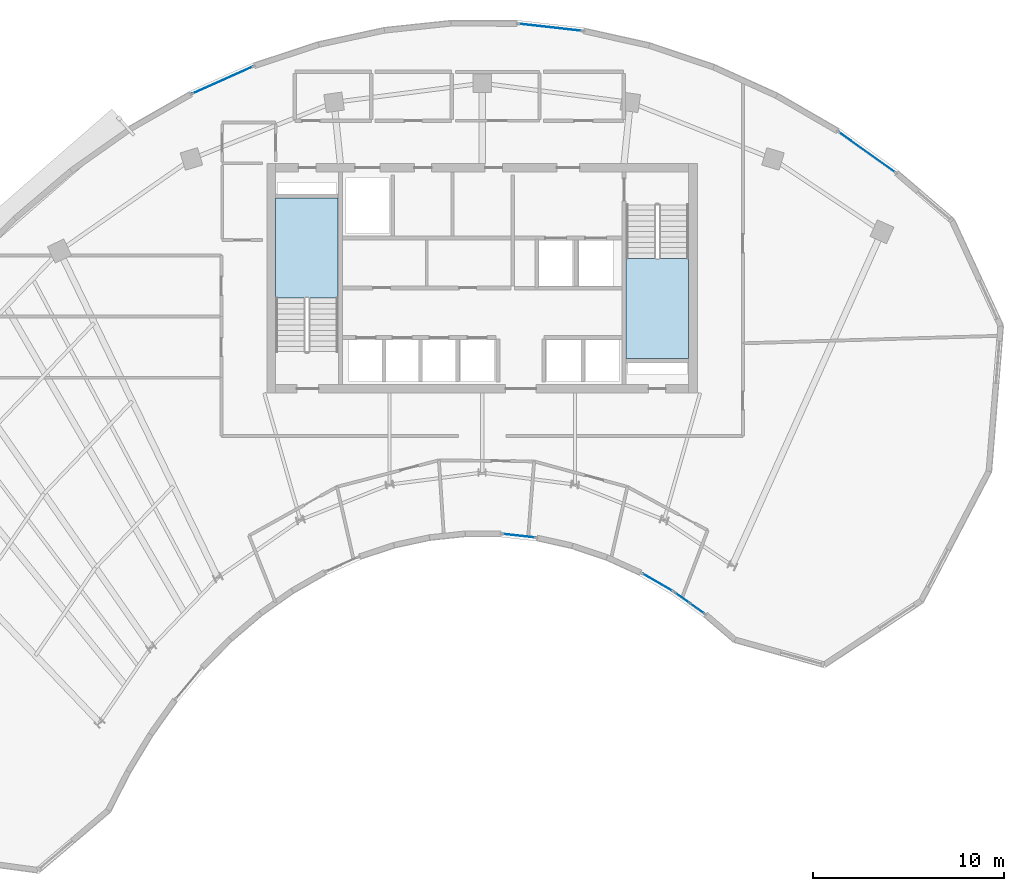
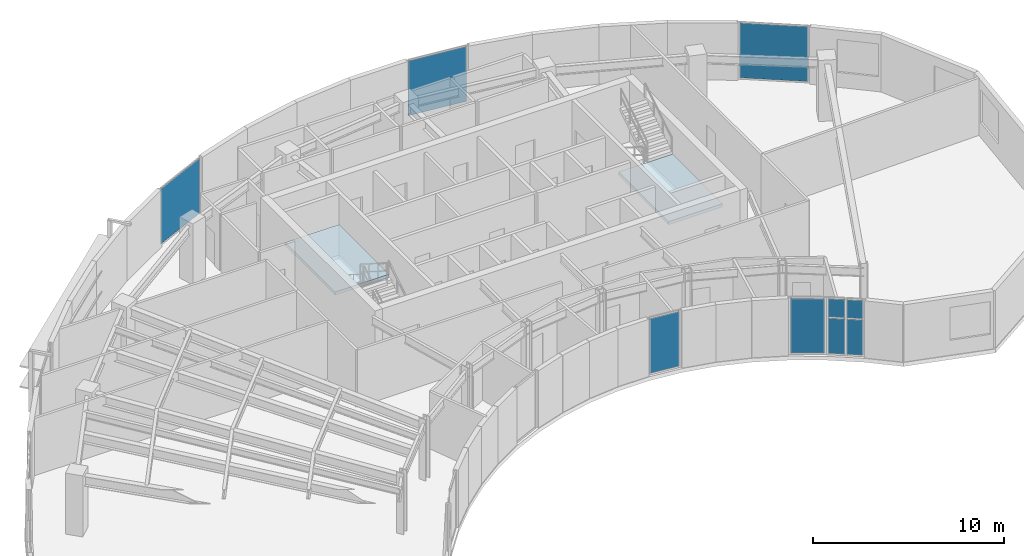
# One storey, part 6 of 12: 9 plates, 2 slabs, 8 elements without a shape of their own.
"""IFC4 building model written with IfcOpenShell, lengths in metres."""

from ifc_helpers import new_model, si_unit, direction, frame, origin, origin_2d, place, context, subcontext, project, spatial, polyline, rectangle, outline, extrude, source, transform, mapped, material, layer, layer_set, type_object, element, aggregate, save


model = new_model("IFC4")

# Units and contexts
model_context = context("Model", 3, precision=1e-05, world=origin(), true_north=direction((0.0, 1.0)))
body_context = subcontext(model_context, "Body", "Model", "MODEL_VIEW")
ifc_project = project(units=[si_unit("LENGTHUNIT", "METRE"), si_unit("AREAUNIT", "SQUARE_METRE"), si_unit("VOLUMEUNIT", "CUBIC_METRE"), si_unit("PLANEANGLEUNIT", "RADIAN"), si_unit("MASSUNIT", "GRAM", prefix="KILO")], contexts=[model_context])

# Site, building, storey
site_placement = place(None, origin())
site = spatial("IfcSite", under=ifc_project, at=site_placement, CompositionType="ELEMENT")
building_placement = place(site_placement, origin())
building = spatial("IfcBuilding", under=site, at=building_placement, Name="Breltana Convention Tower", CompositionType="ELEMENT")
storey_placement = place(building_placement, frame((0.0, 0.0, 235.199951171875)))
storey = spatial("IfcBuildingStorey", under=building, at=storey_placement, Name="L57", CompositionType="ELEMENT", Elevation=235.199951171875)

# Stair, slab
ifc_material_1 = material(Name="Concrete C40/50", Category="concrete")
stair_type = type_object("IfcStairType", Name="ST-DOG-1560-R177", PredefinedType="HALF_TURN_STAIR", material=ifc_material_1)
stair_1_placement = place(storey_placement, origin())
stair_1 = element("IfcStair", 1, at=stair_1_placement, inside=storey, type_object=stair_type, Name="L57 Protected Core Exit Stair ST-1", PredefinedType="HALF_TURN_STAIR")
ifc_layer_1 = layer(ifc_material_1, 0.199951171875, Name="Concrete C40/50")
ifc_layer_set_1 = layer_set([ifc_layer_1], Name="Concrete C40/50")
slab_type = type_object("IfcSlabType", Name="SL-STAIR-LANDING-200", PredefinedType="LANDING", material=ifc_layer_set_1)
slab_1_placement = place(storey_placement, frame((0.0, 0.0, 1.75)))
slab_1 = element("IfcSlab", 2, at=slab_1_placement, type_object=slab_type, Name="ST-1 landing 1", PredefinedType="LANDING", context=body_context, shape_type="SweptSolid", body=[
    extrude(outline(polyline([(40.469970703125, 65.159912109375), (40.469970703125, 70.39990234375), (37.199951171875, 70.39990234375), (37.199951171875, 65.159912109375), (40.469970703125, 65.159912109375)])), origin(), (0.0, 0.0, 1.0), 0.199951171875),
])
aggregate(stair_1, [slab_1])

stair_2_placement = place(storey_placement, origin())
stair_2 = element("IfcStair", 3, at=stair_2_placement, inside=storey, type_object=stair_type, Name="L57 Protected Core Exit Stair ST-2", PredefinedType="HALF_TURN_STAIR")
slab_2_placement = place(storey_placement, frame((0.0, 0.0, 1.75)))
slab_2 = element("IfcSlab", 4, at=slab_2_placement, type_object=slab_type, Name="ST-2 landing 1", PredefinedType="LANDING", context=body_context, shape_type="SweptSolid", body=[
    extrude(outline(polyline([(55.530029296875, 67.239990234375), (55.530029296875, 62.0), (58.800048828125, 62.0), (58.800048828125, 67.239990234375), (55.530029296875, 67.239990234375)])), origin(), (0.0, 0.0, 1.0), 0.199951171875),
])
aggregate(stair_2, [slab_2])

# Curtain wall, plates
ifc_material_2 = material(Name="Aluminium Anodised Bronze Frame", Category="aluminium")
ifc_layer_2 = layer(ifc_material_2, 0.18994140625, Name="Aluminium Anodised Bronze Frame")
ifc_layer_set_2 = layer_set([ifc_layer_2], Name="Aluminium Anodised Bronze Frame")
curtain_wall_type_1 = type_object("IfcCurtainWallType", Name="CW-SYS-1", PredefinedType="NOTDEFINED", material=ifc_layer_set_2)
curtain_wall_1_placement = place(storey_placement, origin())
curtain_wall_1 = element("IfcCurtainWall", 5, at=curtain_wall_1_placement, inside=storey, type_object=curtain_wall_type_1, Name="L57 inner south-court glazing 1", PredefinedType="NOTDEFINED")
ifc_material_3 = material(Name="Glass Low-E Double Glazing", Category="glass")
ifc_layer_3 = layer(ifc_material_3, 0.028076171875, Name="Glass Low-E Double Glazing")
ifc_layer_set_3 = layer_set([ifc_layer_3], Name="Glass Low-E Double Glazing")
plate_type = type_object("IfcPlateType", Name="CWP-IGU-28", PredefinedType="CURTAIN_PANEL", material=ifc_layer_set_3)
shared_shape_1 = source(origin(), body_context, "Body", "SweptSolid", [
    extrude(rectangle(XDim=0.88720703125, YDim=0.028076171875, at=origin_2d()), origin(), (0.0, 0.0, 1.0), 2.25244140625),
])
plate_1_placement = place(storey_placement, frame((59.2490234375, 48.93115234375, 0.080078125), z_axis=(0.0, 0.0, 1.0), x_axis=(-0.814132405297, 0.580679280365, 0.0)))
plate_1 = element("IfcPlate", 6, at=plate_1_placement, type_object=plate_type, Name="CW-01 panel 1.1", PredefinedType="CURTAIN_PANEL", context=body_context, shape_type="MappedRepresentation", body=[
    mapped(shared_shape_1, transform((0.0, 0.0, 0.0), scale=1.0)),
])
plate_2_placement = place(storey_placement, frame((58.461669921875, 49.492919921875, 0.080078125), z_axis=(0.0, 0.0, 1.0), x_axis=(-0.814132405297, 0.580679280365, 0.0)))
plate_2 = element("IfcPlate", 7, at=plate_2_placement, type_object=plate_type, Name="CW-01 panel 2.1", PredefinedType="CURTAIN_PANEL", context=body_context, shape_type="MappedRepresentation", body=[
    mapped(shared_shape_1, transform((0.0, 0.0, 0.0), scale=1.0)),
])
shared_shape_2 = source(origin(), body_context, "Body", "SweptSolid", [
    extrude(rectangle(XDim=0.88720703125, YDim=0.028076171875, at=origin_2d()), origin(), (0.0, 0.0, 1.0), 1.157470703125),
])
plate_3_placement = place(storey_placement, frame((59.2490234375, 48.93115234375, 2.41259765625), z_axis=(0.0, 0.0, 1.0), x_axis=(-0.814132405297, 0.580679280365, 0.0)))
plate_3 = element("IfcPlate", 8, at=plate_3_placement, type_object=plate_type, Name="CW-01 panel 1.2", PredefinedType="CURTAIN_PANEL", context=body_context, shape_type="MappedRepresentation", body=[
    mapped(shared_shape_2, transform((0.0, 0.0, 0.0), scale=1.0)),
])
plate_4_placement = place(storey_placement, frame((58.461669921875, 49.492919921875, 2.41259765625), z_axis=(0.0, 0.0, 1.0), x_axis=(-0.814132405297, 0.580679280365, 0.0)))
plate_4 = element("IfcPlate", 9, at=plate_4_placement, type_object=plate_type, Name="CW-01 panel 2.2", PredefinedType="CURTAIN_PANEL", context=body_context, shape_type="MappedRepresentation", body=[
    mapped(shared_shape_2, transform((0.0, 0.0, 0.0), scale=1.0)),
])
aggregate(curtain_wall_1, [plate_1, plate_3, plate_2, plate_4])

# Curtain wall, plate
curtain_wall_2_placement = place(storey_placement, origin())
curtain_wall_2 = element("IfcCurtainWall", 10, at=curtain_wall_2_placement, inside=storey, type_object=curtain_wall_type_1, Name="L57 inner south-court glazing 2", PredefinedType="NOTDEFINED")
shared_shape_3 = source(origin(), body_context, "Body", "SweptSolid", [
    extrude(rectangle(XDim=1.810791015625, YDim=0.028076171875, at=origin_2d()), origin(), (0.0, 0.0, 1.0), 3.489990234375),
])
plate_5_placement = place(storey_placement, frame((57.168212890625, 50.300048828125, 0.080078125), z_axis=(0.0, 0.0, 1.0), x_axis=(-0.865337111796, 0.501190266215, 0.0)))
plate_5 = element("IfcPlate", 11, at=plate_5_placement, type_object=plate_type, Name="CW-01 panel 1.1", PredefinedType="CURTAIN_PANEL", context=body_context, shape_type="MappedRepresentation", body=[
    mapped(shared_shape_3, transform((0.0, 0.0, 0.0), scale=1.0)),
])
aggregate(curtain_wall_2, [plate_5])

curtain_wall_3_placement = place(storey_placement, origin())
curtain_wall_3 = element("IfcCurtainWall", 12, at=curtain_wall_3_placement, inside=storey, type_object=curtain_wall_type_1, Name="L57 inner south-court glazing 3", PredefinedType="NOTDEFINED")
shared_shape_4 = source(origin(), body_context, "Body", "SweptSolid", [
    extrude(rectangle(XDim=1.703125, YDim=0.028076171875, at=origin_2d()), origin(), (0.0, 0.0, 1.0), 3.489990234375),
])
plate_6_placement = place(storey_placement, frame((49.9248046875, 52.733154296875, 0.080078125), z_axis=(0.0, 0.0, 1.0), x_axis=(-0.993791097907, 0.111262094719, 0.0)))
plate_6 = element("IfcPlate", 13, at=plate_6_placement, type_object=plate_type, Name="CW-01 panel 1.1", PredefinedType="CURTAIN_PANEL", context=body_context, shape_type="MappedRepresentation", body=[
    mapped(shared_shape_4, transform((0.0, 0.0, 0.0), scale=1.0)),
])
aggregate(curtain_wall_3, [plate_6])

ifc_layer_4 = layer(ifc_material_2, 0.219970703125, Name="Aluminium Anodised Bronze Frame")
ifc_layer_set_4 = layer_set([ifc_layer_4], Name="Aluminium Anodised Bronze Frame")
curtain_wall_type_2 = type_object("IfcCurtainWallType", Name="CW-SYS-4", PredefinedType="NOTDEFINED", material=ifc_layer_set_4)
curtain_wall_4_placement = place(storey_placement, origin())
curtain_wall_4 = element("IfcCurtainWall", 14, at=curtain_wall_4_placement, inside=storey, type_object=curtain_wall_type_2, Name="L57 outer double-skin inner glazing 3", PredefinedType="NOTDEFINED")
shared_shape_5 = source(origin(), body_context, "Body", "SweptSolid", [
    extrude(rectangle(XDim=3.455810546875, YDim=0.028076171875, at=origin_2d()), origin(), (0.0, 0.0, 1.0), 3.510009765625),
])
plate_7_placement = place(storey_placement, frame((34.4267578125, 76.568115234375, 0.06982421875), z_axis=(0.0, 0.0, 1.0), x_axis=(0.912711055294, 0.408605591669, 0.0)))
plate_7 = element("IfcPlate", 15, at=plate_7_placement, type_object=plate_type, Name="CW-04 panel 1.1", PredefinedType="CURTAIN_PANEL", context=body_context, shape_type="MappedRepresentation", body=[
    mapped(shared_shape_5, transform((0.0, 0.0, 0.0), scale=1.0)),
])
aggregate(curtain_wall_4, [plate_7])

curtain_wall_5_placement = place(storey_placement, origin())
curtain_wall_5 = element("IfcCurtainWall", 16, at=curtain_wall_5_placement, inside=storey, type_object=curtain_wall_type_2, Name="L57 outer double-skin inner glazing 4", PredefinedType="NOTDEFINED")
shared_shape_6 = source(origin(), body_context, "Body", "SweptSolid", [
    extrude(rectangle(XDim=3.3271484375, YDim=0.028076171875, at=origin_2d()), origin(), (0.0, 0.0, 1.0), 3.510009765625),
])
plate_8_placement = place(storey_placement, frame((51.56494140625, 79.3271484375, 0.06982421875), z_axis=(0.0, 0.0, 1.0), x_axis=(0.993793880547, -0.111237237409, 0.0)))
plate_8 = element("IfcPlate", 17, at=plate_8_placement, type_object=plate_type, Name="CW-04 panel 1.1", PredefinedType="CURTAIN_PANEL", context=body_context, shape_type="MappedRepresentation", body=[
    mapped(shared_shape_6, transform((0.0, 0.0, 0.0), scale=1.0)),
])
aggregate(curtain_wall_5, [plate_8])

curtain_wall_6_placement = place(storey_placement, origin())
curtain_wall_6 = element("IfcCurtainWall", 18, at=curtain_wall_6_placement, inside=storey, type_object=curtain_wall_type_2, Name="L57 outer double-skin inner glazing 5", PredefinedType="NOTDEFINED")
shared_shape_7 = source(origin(), body_context, "Body", "SweptSolid", [
    extrude(rectangle(XDim=3.614990234375, YDim=0.028076171875, at=origin_2d()), origin(), (0.0, 0.0, 1.0), 3.510009765625),
])
plate_9_placement = place(storey_placement, frame((68.1298828125, 72.793212890625, 0.06982421875), z_axis=(0.0, 0.0, 1.0), x_axis=(0.814144936674, -0.580661710541, 0.0)))
plate_9 = element("IfcPlate", 19, at=plate_9_placement, type_object=plate_type, Name="CW-04 panel 1.1", PredefinedType="CURTAIN_PANEL", context=body_context, shape_type="MappedRepresentation", body=[
    mapped(shared_shape_7, transform((0.0, 0.0, 0.0), scale=1.0)),
])
aggregate(curtain_wall_6, [plate_9])

save(model, "model.ifc")
